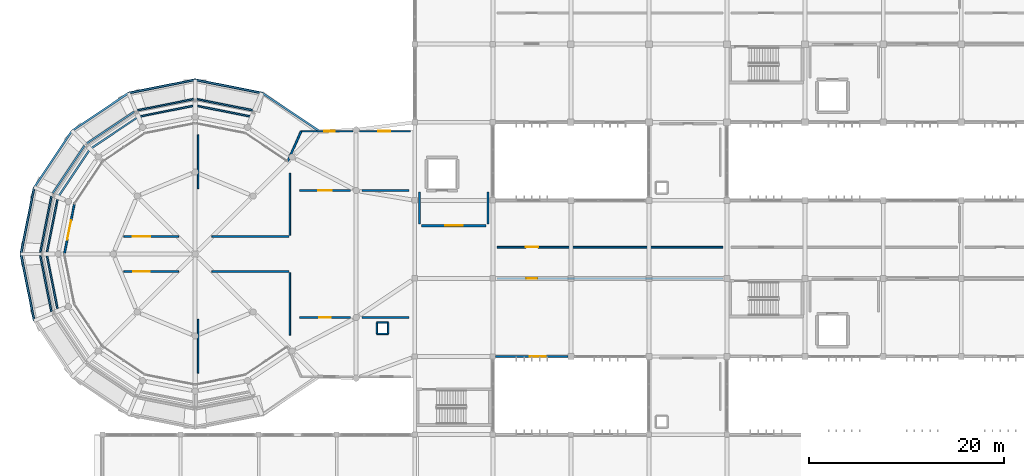
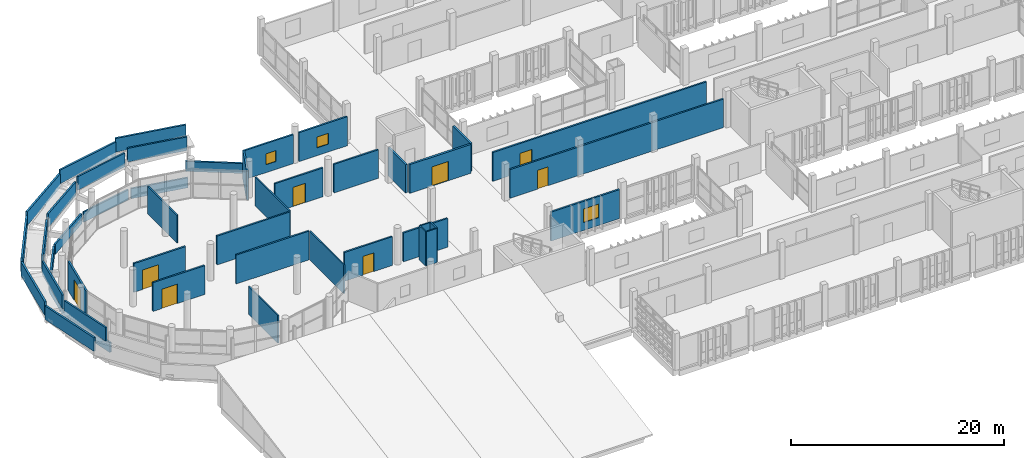
# One storey, part 65 of 83: 45 walls, 8 doors, 3 windows, 11 openings.
"""IFC4 building model written with IfcOpenShell, lengths in metres."""

from ifc_helpers import new_model, si_unit, direction, frame, frame_2d, origin, place, context, subcontext, project, spatial, rectangle, extrude, material, layer, layer_set, type_object, element, fill, save


model = new_model("IFC4")

# Units and contexts
model_context = context("Model", 3, precision=1e-05, world=origin(), true_north=direction((0.0, 1.0)))
body_context = subcontext(model_context, "Body", "Model", "MODEL_VIEW")
ifc_project = project(units=[si_unit("LENGTHUNIT", "METRE"), si_unit("AREAUNIT", "SQUARE_METRE"), si_unit("VOLUMEUNIT", "CUBIC_METRE"), si_unit("PLANEANGLEUNIT", "RADIAN"), si_unit("MASSUNIT", "GRAM", prefix="KILO")], contexts=[model_context])

# Site, building, storey
site_placement = place(None, origin())
site = spatial("IfcSite", under=ifc_project, at=site_placement, CompositionType="ELEMENT")
building_placement = place(site_placement, origin())
building = spatial("IfcBuilding", under=site, at=building_placement, Name="Jelvoka-Kovrelna Polytechnic", CompositionType="ELEMENT")
storey_placement = place(building_placement, frame((0.0, 0.0, 13.800048828125)))
storey = spatial("IfcBuildingStorey", under=building, at=storey_placement, Name="L04", CompositionType="ELEMENT", Elevation=13.800048828125)

# Wall, opening, door
ifc_material_1 = material(Name="Concrete C35/45", Category="concrete")
ifc_layer_1 = layer(ifc_material_1, 0.219970703125)
ifc_layer_set_1 = layer_set([ifc_layer_1], Name="Concrete C35/45")
wall_type_1 = type_object("IfcWallType", Name="Wall_Compartment_220", PredefinedType="PARTITIONING", material=ifc_layer_set_1)
wall_1_placement = place(storey_placement, frame((48.699951171875, 45.39990234375, 0.0), z_axis=(0.0, 0.0, 1.0), x_axis=(1.0, 0.0, 0.0)))
wall_1 = element("IfcWall", 1, at=wall_1_placement, inside=storey, type_object=wall_type_1, Name="L04 interior wall 0588", PredefinedType="PARTITIONING", context=body_context, shape_type="SweptSolid", body=[
    extrude(rectangle(XDim=6.60009765625, YDim=0.219970703125, at=frame_2d((3.300048828125, 0.0))), origin(), (0.0, 0.0, 1.0), 3.300048828125),
])
opening_1_placement = place(wall_1_placement, frame((2.39990234375, 0.0, 0.0)))
opening_1 = element("IfcOpeningElement", 2, at=opening_1_placement, cuts=wall_1, Name="Opening FD-L04-105", PredefinedType="OPENING", context=body_context, shape_type="SweptSolid", body=[
    extrude(rectangle(XDim=1.800048828125, YDim=2.199951171875, at=frame_2d((0.89990234375, 1.10009765625))), frame((0.0, 0.119873046875, 0.0), z_axis=(0.0, -1.0, 0.0), x_axis=(1.0, 0.0, 0.0)), (0.0, 0.0, 1.0), 0.239990234375),
])
ifc_material_2 = material(Name="Paired steel corridor fire door", Category="steel")
door_type_1 = type_object("IfcDoorType", Name="Door_Fire_FD03", OperationType="NOTDEFINED", PredefinedType="DOOR", material=ifc_material_2)
door_1_placement = place(opening_1_placement, origin())
door_1 = element("IfcDoor", 3, at=door_1_placement, inside=storey, type_object=door_type_1, Name="L04 interior door FD-L04-105", OperationType="DOUBLE_DOOR_SINGLE_SWING", OverallHeight=2.199951171875, OverallWidth=1.800048828125, PredefinedType="DOOR", context=body_context, shape_type="SweptSolid", body=[
    extrude(rectangle(XDim=1.800048828125, YDim=2.199951171875, at=frame_2d((0.89990234375, 1.10009765625))), frame((0.0, 0.02490234375, 0.0), z_axis=(0.0, -1.0, 0.0), x_axis=(1.0, 0.0, 0.0)), (0.0, 0.0, 1.0), 0.050048828125),
])
fill(opening_1, door_1)

# Walls
for number, where, z_axis, x_axis, name in (
    (4, (48.5, 45.550048828125, 0.0), (0.0, 0.0, 1.0), (0.0, 1.0, 0.0), "L04 interior wall 0589"),
    (5, (55.5, 45.550048828125, 0.0), (0.0, 0.0, 1.0), (0.0, 1.0, 0.0), "L04 interior wall 0590"),
):
    element("IfcWall", number, at=place(storey_placement, frame(where, z_axis=z_axis, x_axis=x_axis)), inside=storey, type_object=wall_type_1, Name=name, PredefinedType="PARTITIONING", context=body_context, shape_type="SweptSolid", body=[
        extrude(rectangle(XDim=3.300048828125, YDim=0.219970703125, at=frame_2d((1.64990234375, 0.0))), origin(), (0.0, 0.0, 1.0), 3.224853515625),
    ])

# Wall, opening, door
ifc_material_3 = material(Name="Autoclaved aerated concrete blockwork", Category="masonry")
ifc_layer_2 = layer(ifc_material_3, 0.179931640625)
ifc_layer_set_2 = layer_set([ifc_layer_2], Name="Autoclaved aerated concrete blockwork")
wall_type_2 = type_object("IfcWallType", Name="Wall_Corridor_180", PredefinedType="PARTITIONING", material=ifc_layer_set_2)
wall_2_placement = place(storey_placement, frame((56.429931640625, 40.0, 0.0), z_axis=(0.0, 0.0, 1.0), x_axis=(1.0, 0.0, 0.0)))
wall_2 = element("IfcWall", 6, at=wall_2_placement, inside=storey, type_object=wall_type_2, Name="L04 interior wall 1122", PredefinedType="PARTITIONING", context=body_context, shape_type="SweptSolid", body=[
    extrude(rectangle(XDim=23.14013671875, YDim=0.179931640625, at=frame_2d((11.570068359375, 0.0))), origin(), (0.0, 0.0, 1.0), 3.27490234375),
])
opening_2_placement = place(wall_2_placement, frame((2.9951171875, 0.0, 0.0)))
opening_2 = element("IfcOpeningElement", 7, at=opening_2_placement, cuts=wall_2, Name="Opening D-L04-339", PredefinedType="OPENING", context=body_context, shape_type="SweptSolid", body=[
    extrude(rectangle(XDim=1.14990234375, YDim=2.14990234375, at=frame_2d((0.574951171875, 1.074951171875))), frame((0.0, 0.099853515625, 0.0), z_axis=(0.0, -1.0, 0.0), x_axis=(1.0, 0.0, 0.0)), (0.0, 0.0, 1.0), 0.199951171875),
])
ifc_material_4 = material(Name="Hardwood fire-resisting laboratory door", Category="wood")
door_type_2 = type_object("IfcDoorType", Name="Door_Fire_FD30_03", OperationType="NOTDEFINED", PredefinedType="DOOR", material=ifc_material_4)
door_2_placement = place(opening_2_placement, origin())
door_2 = element("IfcDoor", 8, at=door_2_placement, inside=storey, type_object=door_type_2, Name="L04 interior door D-L04-339", OperationType="SINGLE_SWING_LEFT", OverallHeight=2.14990234375, OverallWidth=1.14990234375, PredefinedType="DOOR", context=body_context, shape_type="SweptSolid", body=[
    extrude(rectangle(XDim=1.14990234375, YDim=2.14990234375, at=frame_2d((0.574951171875, 1.074951171875))), frame((0.0, 0.02490234375, 0.0), z_axis=(0.0, -1.0, 0.0), x_axis=(1.0, 0.0, 0.0)), (0.0, 0.0, 1.0), 0.050048828125),
])
fill(opening_2, door_2)

wall_3_placement = place(storey_placement, frame((56.429931640625, 43.199951171875, 0.0), z_axis=(0.0, 0.0, 1.0), x_axis=(1.0, 0.0, 0.0)))
wall_3 = element("IfcWall", 9, at=wall_3_placement, inside=storey, type_object=wall_type_2, Name="L04 interior wall 1124", PredefinedType="PARTITIONING", context=body_context, shape_type="SweptSolid", body=[
    extrude(rectangle(XDim=23.14013671875, YDim=0.179931640625, at=frame_2d((11.570068359375, 0.0))), origin(), (0.0, 0.0, 1.0), 3.300048828125),
])
opening_3_placement = place(wall_3_placement, frame((2.919921875, 0.0, 0.0)))
opening_3 = element("IfcOpeningElement", 10, at=opening_3_placement, cuts=wall_3, Name="Opening D-L04-341", PredefinedType="OPENING", context=body_context, shape_type="SweptSolid", body=[
    extrude(rectangle(XDim=1.300048828125, YDim=2.179931640625, at=frame_2d((0.64990234375, 1.08984375))), frame((0.0, 0.099853515625, 0.0), z_axis=(0.0, -1.0, 0.0), x_axis=(1.0, 0.0, 0.0)), (0.0, 0.0, 1.0), 0.199951171875),
])
ifc_material_5 = material(Name="Hardwood fire-resisting reading hall door", Category="wood")
door_type_3 = type_object("IfcDoorType", Name="Door_Fire_FD30_05", OperationType="NOTDEFINED", PredefinedType="DOOR", material=ifc_material_5)
door_3_placement = place(opening_3_placement, origin())
door_3 = element("IfcDoor", 11, at=door_3_placement, inside=storey, type_object=door_type_3, Name="L04 interior door D-L04-341", OperationType="SINGLE_SWING_LEFT", OverallHeight=2.179931640625, OverallWidth=1.300048828125, PredefinedType="DOOR", context=body_context, shape_type="SweptSolid", body=[
    extrude(rectangle(XDim=1.300048828125, YDim=2.179931640625, at=frame_2d((0.64990234375, 1.08984375))), frame((0.0, 0.02490234375, 0.0), z_axis=(0.0, -1.0, 0.0), x_axis=(1.0, 0.0, 0.0)), (0.0, 0.0, 1.0), 0.050048828125),
])
fill(opening_3, door_3)

# Wall
wall_4_placement = place(storey_placement, frame((42.60009765625, 36.0, 0.0), z_axis=(0.0, 0.0, 1.0), x_axis=(1.0, 0.0, 0.0)))
element("IfcWall", 12, at=wall_4_placement, inside=storey, type_object=wall_type_2, Name="L04 interior wall 1159", PredefinedType="PARTITIONING", context=body_context, shape_type="SweptSolid", body=[
    extrude(rectangle(XDim=4.7998046875, YDim=0.179931640625, at=frame_2d((2.39990234375, 0.0))), origin(), (0.0, 0.0, 1.0), 3.300048828125),
])

# Wall, opening, door
wall_5_placement = place(storey_placement, frame((36.199951171875, 36.0, 0.0), z_axis=(0.0, 0.0, 1.0), x_axis=(1.0, 0.0, 0.0)))
wall_5 = element("IfcWall", 13, at=wall_5_placement, inside=storey, type_object=wall_type_2, Name="L04 interior wall 1161", PredefinedType="PARTITIONING", context=body_context, shape_type="SweptSolid", body=[
    extrude(rectangle(XDim=5.199951171875, YDim=0.179931640625, at=frame_2d((2.60009765625, 0.0))), origin(), (0.0, 0.0, 1.0), 3.300048828125),
])
opening_4_placement = place(wall_5_placement, frame((2.0, 0.0, 0.0)))
opening_4 = element("IfcOpeningElement", 14, at=opening_4_placement, cuts=wall_5, Name="Opening D-L04-365", PredefinedType="OPENING", context=body_context, shape_type="SweptSolid", body=[
    extrude(rectangle(XDim=1.199951171875, YDim=2.14990234375, at=frame_2d((0.60009765625, 1.074951171875))), frame((0.0, 0.099853515625, 0.0), z_axis=(0.0, -1.0, 0.0), x_axis=(1.0, 0.0, 0.0)), (0.0, 0.0, 1.0), 0.199951171875),
])
ifc_material_6 = material(Name="Laboratory vision-panel door", Category="wood")
door_type_4 = type_object("IfcDoorType", Name="Door_Int_D12", OperationType="NOTDEFINED", PredefinedType="DOOR", material=ifc_material_6)
door_4_placement = place(opening_4_placement, origin())
door_4 = element("IfcDoor", 15, at=door_4_placement, inside=storey, type_object=door_type_4, Name="L04 interior door D-L04-365", OperationType="SINGLE_SWING_RIGHT", OverallHeight=2.14990234375, OverallWidth=1.199951171875, PredefinedType="DOOR", context=body_context, shape_type="SweptSolid", body=[
    extrude(rectangle(XDim=1.199951171875, YDim=2.14990234375, at=frame_2d((0.60009765625, 1.074951171875))), frame((0.0, 0.02490234375, 0.0), z_axis=(0.0, -1.0, 0.0), x_axis=(1.0, 0.0, 0.0)), (0.0, 0.0, 1.0), 0.050048828125),
])
fill(opening_4, door_4)

# Wall
wall_6_placement = place(storey_placement, frame((42.60009765625, 49.0, 0.0), z_axis=(0.0, 0.0, 1.0), x_axis=(1.0, 0.0, 0.0)))
element("IfcWall", 16, at=wall_6_placement, inside=storey, type_object=wall_type_2, Name="L04 interior wall 1162", PredefinedType="PARTITIONING", context=body_context, shape_type="SweptSolid", body=[
    extrude(rectangle(XDim=4.7998046875, YDim=0.179931640625, at=frame_2d((2.39990234375, 0.0))), origin(), (0.0, 0.0, 1.0), 3.27490234375),
])

# Wall, opening, door
wall_7_placement = place(storey_placement, frame((36.199951171875, 49.0, 0.0), z_axis=(0.0, 0.0, 1.0), x_axis=(1.0, 0.0, 0.0)))
wall_7 = element("IfcWall", 17, at=wall_7_placement, inside=storey, type_object=wall_type_2, Name="L04 interior wall 1164", PredefinedType="PARTITIONING", context=body_context, shape_type="SweptSolid", body=[
    extrude(rectangle(XDim=5.199951171875, YDim=0.179931640625, at=frame_2d((2.60009765625, 0.0))), origin(), (0.0, 0.0, 1.0), 3.300048828125),
])
opening_5_placement = place(wall_7_placement, frame((1.925048828125, 0.0, 0.0)))
opening_5 = element("IfcOpeningElement", 18, at=opening_5_placement, cuts=wall_7, Name="Opening D-L04-366", PredefinedType="OPENING", context=body_context, shape_type="SweptSolid", body=[
    extrude(rectangle(XDim=1.35009765625, YDim=2.199951171875, at=frame_2d((0.675048828125, 1.10009765625))), frame((0.0, 0.099853515625, 0.0), z_axis=(0.0, -1.0, 0.0), x_axis=(1.0, 0.0, 0.0)), (0.0, 0.0, 1.0), 0.199951171875),
])
ifc_material_7 = material(Name="Studio wide leaf door", Category="wood")
door_type_5 = type_object("IfcDoorType", Name="Door_Int_D15", OperationType="NOTDEFINED", PredefinedType="DOOR", material=ifc_material_7)
door_5_placement = place(opening_5_placement, origin())
door_5 = element("IfcDoor", 19, at=door_5_placement, inside=storey, type_object=door_type_5, Name="L04 interior door D-L04-366", OperationType="SINGLE_SWING_LEFT", OverallHeight=2.199951171875, OverallWidth=1.35009765625, PredefinedType="DOOR", context=body_context, shape_type="SweptSolid", body=[
    extrude(rectangle(XDim=1.35009765625, YDim=2.199951171875, at=frame_2d((0.675048828125, 1.10009765625))), frame((0.0, 0.02490234375, 0.0), z_axis=(0.0, -1.0, 0.0), x_axis=(1.0, 0.0, 0.0)), (0.0, 0.0, 1.0), 0.050048828125),
])
fill(opening_5, door_5)

# Wall
wall_8_placement = place(storey_placement, frame((27.199951171875, 40.699951171875, 0.0), z_axis=(0.0, 0.0, 1.0), x_axis=(1.0, 0.0, 0.0)))
element("IfcWall", 20, at=wall_8_placement, inside=storey, type_object=wall_type_2, Name="L04 interior wall 1165", PredefinedType="PARTITIONING", context=body_context, shape_type="SweptSolid", body=[
    extrude(rectangle(XDim=7.900146484375, YDim=0.179931640625, at=frame_2d((3.9501953125, 0.0))), origin(), (0.0, 0.0, 1.0), 3.300048828125),
])

# Wall, opening, door
wall_9_placement = place(storey_placement, frame((18.199951171875, 40.699951171875, 0.0), z_axis=(0.0, 0.0, 1.0), x_axis=(1.0, 0.0, 0.0)))
wall_9 = element("IfcWall", 21, at=wall_9_placement, inside=storey, type_object=wall_type_2, Name="L04 interior wall 1167", PredefinedType="PARTITIONING", context=body_context, shape_type="SweptSolid", body=[
    extrude(rectangle(XDim=5.60009765625, YDim=0.179931640625, at=frame_2d((2.800048828125, 0.0))), origin(), (0.0, 0.0, 1.0), 3.300048828125),
])
opening_6_placement = place(wall_9_placement, frame((0.969970703125, 0.0, 0.0)))
opening_6 = element("IfcOpeningElement", 22, at=opening_6_placement, cuts=wall_9, Name="Opening D-L04-367", PredefinedType="OPENING", context=body_context, shape_type="SweptSolid", body=[
    extrude(rectangle(XDim=1.659912109375, YDim=2.219970703125, at=frame_2d((0.830078125, 1.10986328125))), frame((0.0, 0.099853515625, 0.0), z_axis=(0.0, -1.0, 0.0), x_axis=(1.0, 0.0, 0.0)), (0.0, 0.0, 1.0), 0.199951171875),
])
ifc_material_8 = material(Name="Paired acoustic fire-resisting lecture door", Category="wood")
door_type_6 = type_object("IfcDoorType", Name="Door_Fire_FD30_08", OperationType="NOTDEFINED", PredefinedType="DOOR", material=ifc_material_8)
door_6_placement = place(opening_6_placement, origin())
door_6 = element("IfcDoor", 23, at=door_6_placement, inside=storey, type_object=door_type_6, Name="L04 interior door D-L04-367", OperationType="DOUBLE_DOOR_SINGLE_SWING", OverallHeight=2.219970703125, OverallWidth=1.659912109375, PredefinedType="DOOR", context=body_context, shape_type="SweptSolid", body=[
    extrude(rectangle(XDim=1.659912109375, YDim=2.219970703125, at=frame_2d((0.830078125, 1.10986328125))), frame((0.0, 0.02490234375, 0.0), z_axis=(0.0, -1.0, 0.0), x_axis=(1.0, 0.0, 0.0)), (0.0, 0.0, 1.0), 0.050048828125),
])
fill(opening_6, door_6)

# Wall
wall_10_placement = place(storey_placement, frame((27.199951171875, 44.300048828125, 0.0), z_axis=(0.0, 0.0, 1.0), x_axis=(1.0, 0.0, 0.0)))
element("IfcWall", 24, at=wall_10_placement, inside=storey, type_object=wall_type_2, Name="L04 interior wall 1168", PredefinedType="PARTITIONING", context=body_context, shape_type="SweptSolid", body=[
    extrude(rectangle(XDim=7.900146484375, YDim=0.179931640625, at=frame_2d((3.9501953125, 0.0))), origin(), (0.0, 0.0, 1.0), 3.300048828125),
])

# Wall, opening, door
wall_11_placement = place(storey_placement, frame((18.199951171875, 44.300048828125, 0.0), z_axis=(0.0, 0.0, 1.0), x_axis=(1.0, 0.0, 0.0)))
wall_11 = element("IfcWall", 25, at=wall_11_placement, inside=storey, type_object=wall_type_2, Name="L04 interior wall 1170", PredefinedType="PARTITIONING", context=body_context, shape_type="SweptSolid", body=[
    extrude(rectangle(XDim=5.60009765625, YDim=0.179931640625, at=frame_2d((2.800048828125, 0.0))), origin(), (0.0, 0.0, 1.0), 3.300048828125),
])
opening_7_placement = place(wall_11_placement, frame((0.919921875, 0.0, 0.0)))
opening_7 = element("IfcOpeningElement", 26, at=opening_7_placement, cuts=wall_11, Name="Opening D-L04-368", PredefinedType="OPENING", context=body_context, shape_type="SweptSolid", body=[
    extrude(rectangle(XDim=1.760009765625, YDim=2.25, at=frame_2d((0.8798828125, 1.125))), frame((0.0, 0.099853515625, 0.0), z_axis=(0.0, -1.0, 0.0), x_axis=(1.0, 0.0, 0.0)), (0.0, 0.0, 1.0), 0.199951171875),
])
ifc_material_9 = material(Name="Paired refectory hall double door", Category="wood")
door_type_7 = type_object("IfcDoorType", Name="Door_Int_D21", OperationType="NOTDEFINED", PredefinedType="DOOR", material=ifc_material_9)
door_7_placement = place(opening_7_placement, origin())
door_7 = element("IfcDoor", 27, at=door_7_placement, inside=storey, type_object=door_type_7, Name="L04 interior door D-L04-368", OperationType="DOUBLE_DOOR_SINGLE_SWING", OverallHeight=2.25, OverallWidth=1.760009765625, PredefinedType="DOOR", context=body_context, shape_type="SweptSolid", body=[
    extrude(rectangle(XDim=1.760009765625, YDim=2.25, at=frame_2d((0.8798828125, 1.125))), frame((0.0, 0.02490234375, 0.0), z_axis=(0.0, -1.0, 0.0), x_axis=(1.0, 0.0, 0.0)), (0.0, 0.0, 1.0), 0.050048828125),
])
fill(opening_7, door_7)

# Wall, opening, window
ifc_material_10 = material(Name="Precast concrete C40/50", Category="concrete")
ifc_layer_3 = layer(ifc_material_10, 0.18505859375)
ifc_layer_set_3 = layer_set([ifc_layer_3], Name="Precast concrete C40/50")
wall_type_3 = type_object("IfcWallType", Name="Wall_Ext_White_260", PredefinedType="STANDARD", material=ifc_layer_set_3)
wall_12_placement = place(storey_placement, frame((63.702880859375, 32.0, 0.0), z_axis=(0.0, 0.0, 1.0), x_axis=(-1.0, 0.0, 0.0)))
wall_12 = element("IfcWall", 28, at=wall_12_placement, inside=storey, type_object=wall_type_3, Name="L04 exterior wall 0400", PredefinedType="STANDARD", context=body_context, shape_type="SweptSolid", body=[
    extrude(rectangle(XDim=7.430908203125, YDim=0.18505859375, at=frame_2d((3.71533203125, 0.0))), origin(), (0.0, 0.0, 1.0), 3.324951171875),
])
opening_8_placement = place(wall_12_placement, frame((2.282958984375, 0.0, 0.89990234375)))
opening_8 = element("IfcOpeningElement", 29, at=opening_8_placement, cuts=wall_12, Name="Opening W-L04-137", PredefinedType="OPENING", context=body_context, shape_type="SweptSolid", body=[
    extrude(rectangle(XDim=1.64990234375, YDim=1.550048828125, at=frame_2d((0.824951171875, 0.77490234375))), frame((0.0, 0.1025390625, 0.0), z_axis=(0.0, -1.0, 0.0), x_axis=(1.0, 0.0, 0.0)), (0.0, 0.0, 1.0), 0.205078125),
])
ifc_material_11 = material(Name="Thermally broken anodised aluminium and low-e glazing", Category="aluminium")
window_type_1 = type_object("IfcWindowType", Name="Win_Casement_W24", PartitioningType="DOUBLE_PANEL_VERTICAL", PredefinedType="WINDOW", material=ifc_material_11)
window_1_placement = place(opening_8_placement, origin())
window_1 = element("IfcWindow", 30, at=window_1_placement, inside=storey, type_object=window_type_1, Name="L04 aluminium casement window W-L04-137", OverallHeight=1.550048828125, OverallWidth=1.64990234375, PartitioningType="DOUBLE_PANEL_VERTICAL", PredefinedType="WINDOW", context=body_context, shape_type="SweptSolid", body=[
    extrude(rectangle(XDim=1.64990234375, YDim=1.550048828125, at=frame_2d((0.824951171875, 0.77490234375))), frame((0.0, 0.030029296875, 0.0), z_axis=(0.0, -1.0, 0.0), x_axis=(1.0, 0.0, 0.0)), (0.0, 0.0, 1.0), 0.06005859375),
])
fill(opening_8, window_1)

# Wall, opening, door
wall_13_placement = place(storey_placement, frame((12.10009765625, 42.5, 0.0), z_axis=(0.0, 0.0, 1.0), x_axis=(0.195092326952, 0.980784881595, 0.0)))
wall_13 = element("IfcWall", 31, at=wall_13_placement, inside=storey, type_object=wall_type_3, Name="L04 exterior wall 1013", PredefinedType="STANDARD", context=body_context, shape_type="SweptSolid", body=[
    extrude(rectangle(XDim=5.228515625, YDim=0.18505859375, at=frame_2d((2.6142578125, 0.0))), origin(), (0.0, 0.0, 1.0), 3.349853515625),
])
opening_9_placement = place(wall_13_placement, frame((1.5, 0.0, 0.0)))
opening_9 = element("IfcOpeningElement", 32, at=opening_9_placement, cuts=wall_13, Name="Opening E-L04-033", PredefinedType="OPENING", context=body_context, shape_type="SweptSolid", body=[
    extrude(rectangle(XDim=2.0, YDim=2.39990234375, at=frame_2d((1.0, 1.199951171875))), frame((0.0, 0.1025390625, 0.0), z_axis=(0.0, -1.0, 0.0), x_axis=(1.0, 0.0, 0.0)), (0.0, 0.0, 1.0), 0.205078125),
])
ifc_material_12 = material(Name="Powder-coated aluminium and laminated safety glass", Category="aluminium")
door_type_8 = type_object("IfcDoorType", Name="Door_Ext_Exit_2000x2400", OperationType="NOTDEFINED", PredefinedType="DOOR", material=ifc_material_12)
door_8_placement = place(opening_9_placement, origin())
door_8 = element("IfcDoor", 33, at=door_8_placement, inside=storey, type_object=door_type_8, Name="L04 exterior door E-L04-033", OperationType="DOUBLE_DOOR_SINGLE_SWING", OverallHeight=2.39990234375, OverallWidth=2.0, PredefinedType="DOOR", context=body_context, shape_type="SweptSolid", body=[
    extrude(rectangle(XDim=2.0, YDim=2.39990234375, at=frame_2d((1.0, 1.199951171875))), frame((0.0, 0.02490234375, 0.0), z_axis=(0.0, -1.0, 0.0), x_axis=(1.0, 0.0, 0.0)), (0.0, 0.0, 1.0), 0.050048828125),
])
fill(opening_9, door_8)

# Wall
wall_14_placement = place(storey_placement, frame((34.97509765625, 51.97509765625, 0.0), z_axis=(0.0, 0.0, 1.0), x_axis=(0.40761125598, 0.913155553013, 0.0)))
element("IfcWall", 34, at=wall_14_placement, inside=storey, type_object=wall_type_3, Name="L04 exterior wall 1014", PredefinedType="STANDARD", context=body_context, shape_type="SweptSolid", body=[
    extrude(rectangle(XDim=3.39794921875, YDim=0.18505859375, at=frame_2d((1.698974609375, 0.0))), origin(), (0.0, 0.0, 1.0), 3.349853515625),
])

# Wall, opening, window
wall_15_placement = place(storey_placement, frame((36.340087890625, 55.077880859375, 0.0), z_axis=(0.0, 0.0, 1.0), x_axis=(1.0, 0.0, 0.0)))
wall_15 = element("IfcWall", 35, at=wall_15_placement, inside=storey, type_object=wall_type_3, Name="L04 exterior wall 1015", PredefinedType="STANDARD", context=body_context, shape_type="SweptSolid", body=[
    extrude(rectangle(XDim=5.337890625, YDim=0.18505859375, at=frame_2d((2.6689453125, 0.0))), origin(), (0.0, 0.0, 1.0), 3.324951171875),
])
opening_10_placement = place(wall_15_placement, frame((2.409912109375, 0.0, 0.89990234375)))
opening_10 = element("IfcOpeningElement", 36, at=opening_10_placement, cuts=wall_15, Name="Opening W-L04-551", PredefinedType="OPENING", context=body_context, shape_type="SweptSolid", body=[
    extrude(rectangle(XDim=1.050048828125, YDim=1.25, at=frame_2d((0.52490234375, 0.625))), frame((0.0, 0.1025390625, 0.0), z_axis=(0.0, -1.0, 0.0), x_axis=(1.0, 0.0, 0.0)), (0.0, 0.0, 1.0), 0.205078125),
])
ifc_material_13 = material(Name="Thermally broken anodised aluminium and low-e glazing", Category="aluminium")
window_type_2 = type_object("IfcWindowType", Name="Win_Casement_W01", PartitioningType="SINGLE_PANEL", PredefinedType="WINDOW", material=ifc_material_13)
window_2_placement = place(opening_10_placement, origin())
window_2 = element("IfcWindow", 37, at=window_2_placement, inside=storey, type_object=window_type_2, Name="L04 aluminium casement window W-L04-551", OverallHeight=1.25, OverallWidth=1.050048828125, PartitioningType="SINGLE_PANEL", PredefinedType="WINDOW", context=body_context, shape_type="SweptSolid", body=[
    extrude(rectangle(XDim=1.050048828125, YDim=1.25, at=frame_2d((0.52490234375, 0.625))), frame((0.0, 0.030029296875, 0.0), z_axis=(0.0, -1.0, 0.0), x_axis=(1.0, 0.0, 0.0)), (0.0, 0.0, 1.0), 0.06005859375),
])
fill(opening_10, window_2)

wall_16_placement = place(storey_placement, frame((42.322021484375, 55.077880859375, 0.0), z_axis=(0.0, 0.0, 1.0), x_axis=(1.0, 0.0, 0.0)))
wall_16 = element("IfcWall", 38, at=wall_16_placement, inside=storey, type_object=wall_type_3, Name="L04 exterior wall 1016", PredefinedType="STANDARD", context=body_context, shape_type="SweptSolid", body=[
    extrude(rectangle(XDim=5.22802734375, YDim=0.18505859375, at=frame_2d((2.614013671875, 0.0))), origin(), (0.0, 0.0, 1.0), 3.324951171875),
])
opening_11_placement = place(wall_16_placement, frame((1.927978515625, 0.0, 0.89990234375)))
opening_11 = element("IfcOpeningElement", 39, at=opening_11_placement, cuts=wall_16, Name="Opening W-L04-552", PredefinedType="OPENING", context=body_context, shape_type="SweptSolid", body=[
    extrude(rectangle(XDim=1.25, YDim=1.25, at=frame_2d((0.625, 0.625))), frame((0.0, 0.1025390625, 0.0), z_axis=(0.0, -1.0, 0.0), x_axis=(1.0, 0.0, 0.0)), (0.0, 0.0, 1.0), 0.205078125),
])
ifc_material_14 = material(Name="Thermally broken anodised aluminium and low-e glazing", Category="aluminium")
window_type_3 = type_object("IfcWindowType", Name="Win_Casement_W02", PartitioningType="SINGLE_PANEL", PredefinedType="WINDOW", material=ifc_material_14)
window_3_placement = place(opening_11_placement, origin())
window_3 = element("IfcWindow", 40, at=window_3_placement, inside=storey, type_object=window_type_3, Name="L04 aluminium casement window W-L04-552", OverallHeight=1.25, OverallWidth=1.25, PartitioningType="SINGLE_PANEL", PredefinedType="WINDOW", context=body_context, shape_type="SweptSolid", body=[
    extrude(rectangle(XDim=1.25, YDim=1.25, at=frame_2d((0.625, 0.625))), frame((0.0, 0.030029296875, 0.0), z_axis=(0.0, -1.0, 0.0), x_axis=(1.0, 0.0, 0.0)), (0.0, 0.0, 1.0), 0.06005859375),
])
fill(opening_11, window_3)

# Walls
ifc_material_15 = material(Name="Precast concrete C40/50", Category="concrete")
ifc_layer_4 = layer(ifc_material_15, 0.179931640625)
ifc_layer_set_4 = layer_set([ifc_layer_4], Name="Precast concrete C40/50")
wall_type_4 = type_object("IfcWallType", Name="Wall_Parapet_180", PredefinedType="PARAPET", material=ifc_layer_set_4)
for number, where, z_axis, x_axis, name in (
    (41, (31.16748046875, 56.592529296875, 0.0), (0.0, 0.0, 1.0), (-0.980782378932, 0.19510490813, 0.0), "L04 exterior wall 1003"),
    (42, (25.343017578125, 57.688720703125, 0.0), (0.0, 0.0, 1.0), (-0.980782378932, -0.19510490813, 0.0), "L04 exterior wall 1004"),
    (43, (19.54248046875, 56.472412109375, 0.0), (0.0, 0.0, 1.0), (-0.831481620435, -0.555552261158, 0.0), "L04 exterior wall 1005"),
    (44, (14.64892578125, 53.129150390625, 0.0), (0.0, 0.0, 1.0), (-0.555552261158, -0.831481620435, 0.0), "L04 exterior wall 1006"),
    (45, (11.407470703125, 48.16748046875, 0.0), (0.0, 0.0, 1.0), (-0.19510490813, -0.980782378932, 0.0), "L04 exterior wall 1007"),
    (46, (10.311279296875, 42.343017578125, 0.0), (0.0, 0.0, 1.0), (0.19510490813, -0.980782378932, 0.0), "L04 exterior wall 1008"),
):
    element("IfcWall", number, at=place(storey_placement, frame(where, z_axis=z_axis, x_axis=x_axis)), inside=storey, type_object=wall_type_4, Name=name, PredefinedType="PARAPET", context=body_context, shape_type="SweptSolid", body=[
        extrude(rectangle(XDim=5.618408203125, YDim=0.179931640625, at=frame_2d((2.80908203125, 0.0))), origin(), (0.0, 0.0, 1.0), 1.14990234375),
    ])
for number, where, z_axis, x_axis, name in (
    (47, (10.779052734375, 36.572265625, 1.68994140625), (0.0, 0.0, 1.0), (-0.195102630459, 0.980782832021, 0.0), "L04 exterior wall 1108"),
    (48, (9.631103515625, 42.656982421875, 2.10986328125), (0.0, 0.0, 1.0), (0.195102630459, 0.980782832021, 0.0), "L04 exterior wall 1110"),
):
    element("IfcWall", number, at=place(storey_placement, frame(where, z_axis=z_axis, x_axis=x_axis)), inside=storey, type_object=wall_type_4, Name=name, PredefinedType="PARAPET", context=body_context, shape_type="SweptSolid", body=[
        extrude(rectangle(XDim=5.8837890625, YDim=0.179931640625, at=frame_2d((2.94189453125, 0.0))), origin(), (0.0, 0.0, 1.0), 1.56005859375),
    ])
wall_17_placement = place(storey_placement, frame((10.899169921875, 48.7177734375, 2.530029296875), z_axis=(0.0, 0.0, 1.0), x_axis=(0.555580797046, 0.831462553548, 0.0)))
element("IfcWall", 49, at=wall_17_placement, inside=storey, type_object=wall_type_4, Name="L04 exterior wall 1112", PredefinedType="PARAPET", context=body_context, shape_type="SweptSolid", body=[
    extrude(rectangle(XDim=5.884033203125, YDim=0.179931640625, at=frame_2d((2.94189453125, 0.0))), origin(), (0.0, 0.0, 1.0), 1.559814453125),
])
wall_18_placement = place(storey_placement, frame((14.389892578125, 53.831787109375, 2.949951171875), z_axis=(0.0, 0.0, 1.0), x_axis=(0.831462553548, 0.555580797046, 0.0)))
element("IfcWall", 50, at=wall_18_placement, inside=storey, type_object=wall_type_4, Name="L04 exterior wall 1114", PredefinedType="PARAPET", context=body_context, shape_type="SweptSolid", body=[
    extrude(rectangle(XDim=5.884033203125, YDim=0.179931640625, at=frame_2d((2.94189453125, 0.0))), origin(), (0.0, 0.0, 1.0), 1.56005859375),
])
wall_19_placement = place(storey_placement, frame((19.572265625, 57.220947265625, 3.369873046875), z_axis=(0.0, 0.0, 1.0), x_axis=(0.980782832021, 0.195102630459, 0.0)))
element("IfcWall", 51, at=wall_19_placement, inside=storey, type_object=wall_type_4, Name="L04 exterior wall 1116", PredefinedType="PARAPET", context=body_context, shape_type="SweptSolid", body=[
    extrude(rectangle(XDim=5.8837890625, YDim=0.179931640625, at=frame_2d((2.94189453125, 0.0))), origin(), (0.0, 0.0, 1.0), 1.56005859375),
])
wall_20_placement = place(storey_placement, frame((25.656982421875, 58.368896484375, 3.7900390625), z_axis=(0.0, 0.0, 1.0), x_axis=(0.980782832021, -0.195102630459, 0.0)))
element("IfcWall", 52, at=wall_20_placement, inside=storey, type_object=wall_type_4, Name="L04 exterior wall 1118", PredefinedType="PARAPET", context=body_context, shape_type="SweptSolid", body=[
    extrude(rectangle(XDim=5.8837890625, YDim=0.179931640625, at=frame_2d((2.94189453125, 0.0))), origin(), (0.0, 0.0, 1.0), 1.559814453125),
])
ifc_material_16 = material(Name="Precast concrete C40/50", Category="concrete")
ifc_layer_5 = layer(ifc_material_16, 0.199951171875)
ifc_layer_set_5 = layer_set([ifc_layer_5], Name="Precast concrete C40/50")
wall_type_5 = type_object("IfcWallType", Name="Wall_Parapet_200", PredefinedType="PARAPET", material=ifc_layer_set_5)
wall_21_placement = place(storey_placement, frame((38.14306640625, 55.14306640625, 0.0), z_axis=(0.0, 0.0, 1.0), x_axis=(-0.831468390799, 0.555572061125, 0.0)))
element("IfcWall", 53, at=wall_21_placement, inside=storey, type_object=wall_type_5, Name="L04 exterior wall 1001", PredefinedType="PARAPET", context=body_context, shape_type="SweptSolid", body=[
    extrude(rectangle(XDim=6.9765625, YDim=0.199951171875, at=frame_2d((3.48828125, 0.0))), origin(), (0.0, 0.0, 1.0), 1.14990234375),
])
for number, where, z_axis, x_axis, name in (
    (54, (9.0087890625, 35.669189453125, 1.68994140625), (0.0, 0.0, 1.0), (-0.19511159502, 0.9807810487, 0.0), "L04 exterior wall 1107"),
    (55, (7.64990234375, 42.5, 2.10986328125), (0.0, 0.0, 1.0), (0.19511159502, 0.9807810487, 0.0), "L04 exterior wall 1109"),
):
    element("IfcWall", number, at=place(storey_placement, frame(where, z_axis=z_axis, x_axis=x_axis)), inside=storey, type_object=wall_type_5, Name=name, PredefinedType="PARAPET", context=body_context, shape_type="SweptSolid", body=[
        extrude(rectangle(XDim=6.964599609375, YDim=0.199951171875, at=frame_2d((3.482421875, 0.0))), origin(), (0.0, 0.0, 1.0), 1.56005859375),
    ])
wall_22_placement = place(storey_placement, frame((9.0087890625, 49.330810546875, 2.530029296875), z_axis=(0.0, 0.0, 1.0), x_axis=(0.555565451838, 0.831472806966, 0.0)))
element("IfcWall", 56, at=wall_22_placement, inside=storey, type_object=wall_type_5, Name="L04 exterior wall 1111", PredefinedType="PARAPET", context=body_context, shape_type="SweptSolid", body=[
    extrude(rectangle(XDim=6.96484375, YDim=0.199951171875, at=frame_2d((3.482421875, 0.0))), origin(), (0.0, 0.0, 1.0), 1.559814453125),
])
wall_23_placement = place(storey_placement, frame((12.878173828125, 55.121826171875, 2.949951171875), z_axis=(0.0, 0.0, 1.0), x_axis=(0.831472806966, 0.555565451838, 0.0)))
element("IfcWall", 57, at=wall_23_placement, inside=storey, type_object=wall_type_5, Name="L04 exterior wall 1113", PredefinedType="PARAPET", context=body_context, shape_type="SweptSolid", body=[
    extrude(rectangle(XDim=6.96484375, YDim=0.199951171875, at=frame_2d((3.482421875, 0.0))), origin(), (0.0, 0.0, 1.0), 1.56005859375),
])
wall_24_placement = place(storey_placement, frame((18.669189453125, 58.9912109375, 3.369873046875), z_axis=(0.0, 0.0, 1.0), x_axis=(0.9807810487, 0.19511159502, 0.0)))
element("IfcWall", 58, at=wall_24_placement, inside=storey, type_object=wall_type_5, Name="L04 exterior wall 1115", PredefinedType="PARAPET", context=body_context, shape_type="SweptSolid", body=[
    extrude(rectangle(XDim=6.964599609375, YDim=0.199951171875, at=frame_2d((3.482421875, 0.0))), origin(), (0.0, 0.0, 1.0), 1.56005859375),
])
wall_25_placement = place(storey_placement, frame((25.5, 60.35009765625, 3.7900390625), z_axis=(0.0, 0.0, 1.0), x_axis=(0.9807810487, -0.19511159502, 0.0)))
element("IfcWall", 59, at=wall_25_placement, inside=storey, type_object=wall_type_5, Name="L04 exterior wall 1117", PredefinedType="PARAPET", context=body_context, shape_type="SweptSolid", body=[
    extrude(rectangle(XDim=6.964599609375, YDim=0.199951171875, at=frame_2d((3.482421875, 0.0))), origin(), (0.0, 0.0, 1.0), 1.559814453125),
])
ifc_material_17 = material(Name="Autoclaved aerated concrete blockwork", Category="masonry")
ifc_layer_6 = layer(ifc_material_17, 0.14990234375)
ifc_layer_set_6 = layer_set([ifc_layer_6], Name="Autoclaved aerated concrete blockwork")
wall_type_6 = type_object("IfcWallType", Name="Wall_Partition_150", PredefinedType="PARTITIONING", material=ifc_layer_set_6)
for number, where, z_axis, x_axis, name in (
    (60, (44.1201171875, 34.320068359375, 0.0), (0.0, 0.0, 1.0), (1.0, 0.0, 0.0), "L04 interior wall 0760"),
    (61, (45.280029296875, 34.320068359375, 0.0), (0.0, 0.0, 1.0), (0.0, 1.0, 0.0), "L04 interior wall 0761"),
    (62, (45.280029296875, 35.47998046875, 0.0), (0.0, 0.0, 1.0), (-1.0, 0.0, 0.0), "L04 interior wall 0762"),
    (63, (44.1201171875, 35.47998046875, 0.0), (0.0, 0.0, 1.0), (0.0, -1.0, 0.0), "L04 interior wall 0763"),
):
    element("IfcWall", number, at=place(storey_placement, frame(where, z_axis=z_axis, x_axis=x_axis)), inside=storey, type_object=wall_type_6, Name=name, PredefinedType="PARTITIONING", context=body_context, shape_type="SweptSolid", body=[
        extrude(rectangle(XDim=1.159912109375, YDim=0.14990234375, at=frame_2d((0.580078125, 0.0))), origin(), (0.0, 0.0, 1.0), 3.89990234375),
    ])
for number, where, z_axis, x_axis, name in (
    (64, (25.800048828125, 30.300048828125, 0.0), (0.0, 0.0, 1.0), (0.0, 1.0, 0.0), "L04 interior wall 1160"),
    (65, (25.800048828125, 49.199951171875, 0.0), (0.0, 0.0, 1.0), (0.0, 1.0, 0.0), "L04 interior wall 1163"),
):
    element("IfcWall", number, at=place(storey_placement, frame(where, z_axis=z_axis, x_axis=x_axis)), inside=storey, type_object=wall_type_6, Name=name, PredefinedType="PARTITIONING", context=body_context, shape_type="SweptSolid", body=[
        extrude(rectangle(XDim=5.5, YDim=0.14990234375, at=frame_2d((2.75, 0.0))), origin(), (0.0, 0.0, 1.0), 3.175048828125),
    ])
for number, where, z_axis, x_axis, name in (
    (66, (35.199951171875, 34.199951171875, 0.0), (0.0, 0.0, 1.0), (0.0, 1.0, 0.0), "L04 interior wall 1166"),
    (67, (35.199951171875, 44.39990234375, 0.0), (0.0, 0.0, 1.0), (0.0, 1.0, 0.0), "L04 interior wall 1169"),
):
    element("IfcWall", number, at=place(storey_placement, frame(where, z_axis=z_axis, x_axis=x_axis)), inside=storey, type_object=wall_type_6, Name=name, PredefinedType="PARTITIONING", context=body_context, shape_type="SweptSolid", body=[
        extrude(rectangle(XDim=6.400146484375, YDim=0.14990234375, at=frame_2d((3.2001953125, 0.0))), origin(), (0.0, 0.0, 1.0), 3.300048828125),
    ])

save(model, "model.ifc")
